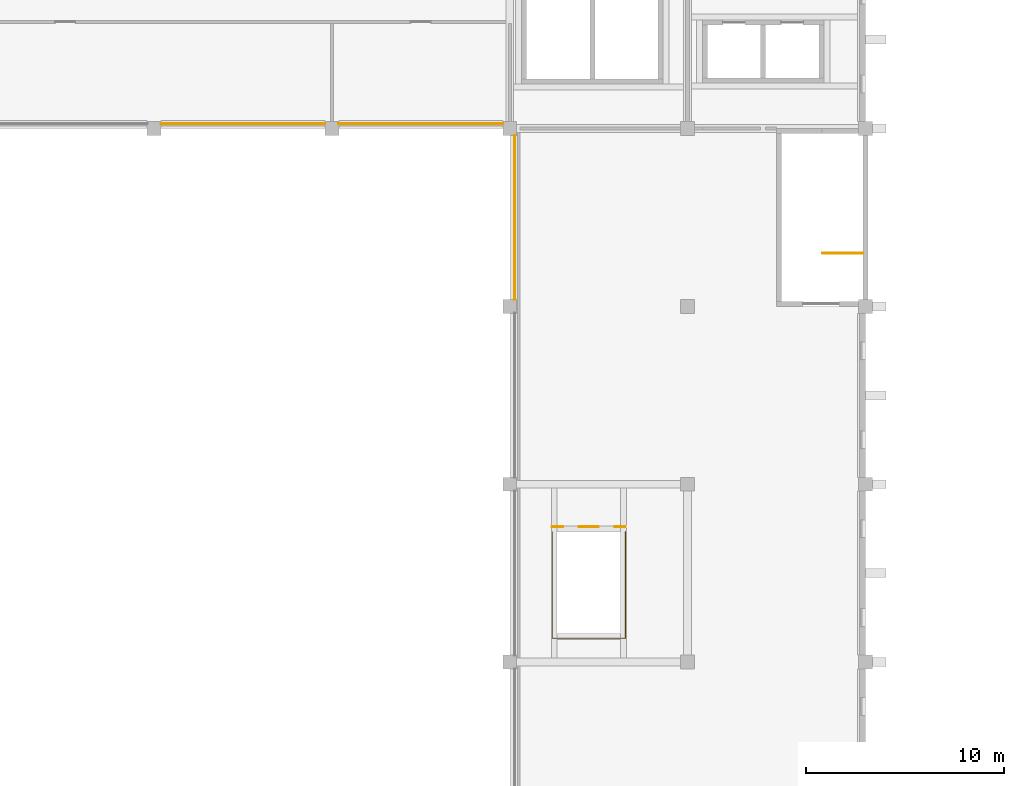
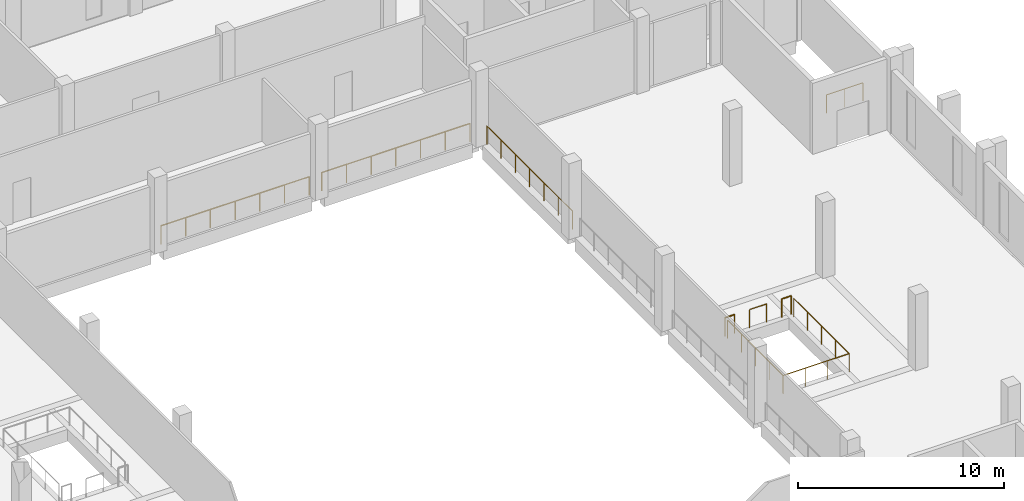
# One storey, part 37 of 40: 8 railings.
"""IFC4 building model written with IfcOpenShell, lengths in metres."""

from ifc_helpers import new_model, si_unit, direction, frame, origin, origin_2d, place, context, subcontext, project, spatial, circle, extrude, material, type_object, element, save


model = new_model("IFC4")

# Units and contexts
model_context = context("Model", 3, precision=1e-05, world=origin(), true_north=direction((0.0, 1.0)))
body_context = subcontext(model_context, "Body", "Model", "MODEL_VIEW")
ifc_project = project(units=[si_unit("LENGTHUNIT", "METRE"), si_unit("AREAUNIT", "SQUARE_METRE"), si_unit("VOLUMEUNIT", "CUBIC_METRE"), si_unit("PLANEANGLEUNIT", "RADIAN"), si_unit("MASSUNIT", "GRAM", prefix="KILO")], contexts=[model_context])

# Site, building, storey
site_placement = place(None, origin())
site = spatial("IfcSite", under=ifc_project, at=site_placement, CompositionType="ELEMENT")
building_placement = place(site_placement, origin())
building = spatial("IfcBuilding", under=site, at=building_placement, Name="Guidao Yard Department Store", CompositionType="ELEMENT")
storey_placement = place(building_placement, frame((0.0, 0.0, 24.0)))
storey = spatial("IfcBuildingStorey", under=building, at=storey_placement, Name="L05", CompositionType="ELEMENT", Elevation=24.0)

# Railings
ifc_material = material(Name="Steel Q235", Category="steel")
railing_type = type_object("IfcRailingType", Name="Guard steel balustrade 1100", PredefinedType="GUARDRAIL", material=ifc_material)
railing_1_placement = place(storey_placement, frame((60.824951171875, 83.699951171875, 0.0)))
element("IfcRailing", 1, at=railing_1_placement, inside=storey, type_object=railing_type, Name="Stair A4 guard L05 4", PredefinedType="GUARDRAIL", context=body_context, shape_type="SweptSolid", body=[
    extrude(circle(Radius=0.02392578125, at=origin_2d()), frame((0.0, 0.0, 1.076171875), z_axis=(1.0, 0.0, 0.0), x_axis=(0.0, 1.0, 0.0)), (0.0, 0.0, 1.0), 2.050048828125),
    extrude(circle(Radius=0.02099609375, at=origin_2d()), origin(), (0.0, 0.0, 1.0), 1.052001953125),
    extrude(circle(Radius=0.02099609375, at=origin_2d()), frame((1.02490234375, 0.0, 0.0)), (0.0, 0.0, 1.0), 1.052001953125),
    extrude(circle(Radius=0.02099609375, at=origin_2d()), frame((2.050048828125, 0.0, 0.0)), (0.0, 0.0, 1.0), 1.052001953125),
])
railing_2_placement = place(storey_placement, frame((47.14990234375, 69.843994140625, 0.0)))
element("IfcRailing", 2, at=railing_2_placement, inside=storey, type_object=railing_type, Name="Guard escalator EH9 arrival 1", PredefinedType="GUARDRAIL", context=body_context, shape_type="SweptSolid", body=[
    extrude(circle(Radius=0.02392578125, at=origin_2d()), frame((0.0, 0.0, 1.076171875), z_axis=(1.0, 0.0, 0.0), x_axis=(0.0, 1.0, 0.0)), (0.0, 0.0, 1.0), 0.530029296875),
    extrude(circle(Radius=0.02099609375, at=origin_2d()), origin(), (0.0, 0.0, 1.0), 1.052001953125),
    extrude(circle(Radius=0.02099609375, at=origin_2d()), frame((0.530029296875, 0.0, 0.0)), (0.0, 0.0, 1.0), 1.052001953125),
])
railing_3_placement = place(storey_placement, frame((48.52001953125, 69.843994140625, 0.0)))
element("IfcRailing", 3, at=railing_3_placement, inside=storey, type_object=railing_type, Name="Guard escalator EH9 arrival 2", PredefinedType="GUARDRAIL", context=body_context, shape_type="SweptSolid", body=[
    extrude(circle(Radius=0.02392578125, at=origin_2d()), frame((0.0, 0.0, 1.076171875), z_axis=(1.0, 0.0, 0.0), x_axis=(0.0, 1.0, 0.0)), (0.0, 0.0, 1.0), 0.9599609375),
    extrude(circle(Radius=0.02099609375, at=origin_2d()), origin(), (0.0, 0.0, 1.0), 1.052001953125),
    extrude(circle(Radius=0.02099609375, at=origin_2d()), frame((0.9599609375, 0.0, 0.0)), (0.0, 0.0, 1.0), 1.052001953125),
])
railing_4_placement = place(storey_placement, frame((50.320068359375, 69.843994140625, 0.0)))
element("IfcRailing", 4, at=railing_4_placement, inside=storey, type_object=railing_type, Name="Guard escalator EH9 arrival 3", PredefinedType="GUARDRAIL", context=body_context, shape_type="SweptSolid", body=[
    extrude(circle(Radius=0.02392578125, at=origin_2d()), frame((0.0, 0.0, 1.076171875), z_axis=(1.0, 0.0, 0.0), x_axis=(0.0, 1.0, 0.0)), (0.0, 0.0, 1.0), 0.530029296875),
    extrude(circle(Radius=0.02099609375, at=origin_2d()), origin(), (0.0, 0.0, 1.0), 1.052001953125),
    extrude(circle(Radius=0.02099609375, at=origin_2d()), frame((0.530029296875, 0.0, 0.0)), (0.0, 0.0, 1.0), 1.052001953125),
])
railing_5_placement = place(storey_placement, frame((45.25, 81.35009765625, 0.0)))
element("IfcRailing", 5, at=railing_5_placement, inside=storey, type_object=railing_type, Name="Guard atrium E L05", PredefinedType="GUARDRAIL", context=body_context, shape_type="SweptSolid", body=[
    extrude(circle(Radius=0.02392578125, at=origin_2d()), frame((0.0, 0.0, 1.076171875), z_axis=(0.0, 1.0, 0.0), x_axis=(-1.0, 0.0, 0.0)), (0.0, 0.0, 1.0), 8.2998046875),
    extrude(circle(Radius=0.02099609375, at=origin_2d()), origin(), (0.0, 0.0, 1.0), 1.052001953125),
    extrude(circle(Radius=0.02099609375, at=origin_2d()), frame((0.0, 1.38330078125, 0.0)), (0.0, 0.0, 1.0), 1.052001953125),
    extrude(circle(Radius=0.02099609375, at=origin_2d()), frame((0.0, 2.7666015625, 0.0)), (0.0, 0.0, 1.0), 1.052001953125),
    extrude(circle(Radius=0.02099609375, at=origin_2d()), frame((0.0, 4.14990234375, 0.0)), (0.0, 0.0, 1.0), 1.052001953125),
    extrude(circle(Radius=0.02099609375, at=origin_2d()), frame((0.0, 5.533203125, 0.0)), (0.0, 0.0, 1.0), 1.052001953125),
    extrude(circle(Radius=0.02099609375, at=origin_2d()), frame((0.0, 6.91650390625, 0.0)), (0.0, 0.0, 1.0), 1.052001953125),
    extrude(circle(Radius=0.02099609375, at=origin_2d()), frame((0.0, 8.2998046875, 0.0)), (0.0, 0.0, 1.0), 1.052001953125),
])
for number, where, name in (
    (6, (44.64990234375, 90.25, 0.0), "Guard atrium N L05"),
    (7, (35.64990234375, 90.25, 0.0), "Guard atrium N L05"),
):
    element("IfcRailing", number, at=place(storey_placement, frame(where)), inside=storey, type_object=railing_type, Name=name, PredefinedType="GUARDRAIL", context=body_context, shape_type="SweptSolid", body=[
        extrude(circle(Radius=0.02392578125, at=origin_2d()), frame((0.0, 0.0, 1.076171875), z_axis=(-1.0, 0.0, 0.0), x_axis=(0.0, -1.0, 0.0)), (0.0, 0.0, 1.0), 8.2998046875),
        extrude(circle(Radius=0.02099609375, at=origin_2d()), origin(), (0.0, 0.0, 1.0), 1.052001953125),
        extrude(circle(Radius=0.02099609375, at=origin_2d()), frame((-1.38330078125, 0.0, 0.0)), (0.0, 0.0, 1.0), 1.052001953125),
        extrude(circle(Radius=0.02099609375, at=origin_2d()), frame((-2.7666015625, 0.0, 0.0)), (0.0, 0.0, 1.0), 1.052001953125),
        extrude(circle(Radius=0.02099609375, at=origin_2d()), frame((-4.14990234375, 0.0, 0.0)), (0.0, 0.0, 1.0), 1.052001953125),
        extrude(circle(Radius=0.02099609375, at=origin_2d()), frame((-5.533203125, 0.0, 0.0)), (0.0, 0.0, 1.0), 1.052001953125),
        extrude(circle(Radius=0.02099609375, at=origin_2d()), frame((-6.91650390625, 0.0, 0.0)), (0.0, 0.0, 1.0), 1.052001953125),
        extrude(circle(Radius=0.02099609375, at=origin_2d()), frame((-8.2998046875, 0.0, 0.0)), (0.0, 0.0, 1.0), 1.052001953125),
    ])
railing_6_placement = place(storey_placement, frame((50.85009765625, 69.593994140625, 0.0)))
element("IfcRailing", 8, at=railing_6_placement, inside=storey, type_object=railing_type, Name="Guard well EH9 L05", PredefinedType="GUARDRAIL", context=body_context, shape_type="SweptSolid", body=[
    extrude(circle(Radius=0.02392578125, at=origin_2d()), frame((0.0, 0.0, 1.076171875), z_axis=(0.0, -1.0, 0.0), x_axis=(1.0, 0.0, 0.0)), (0.0, 0.0, 1.0), 5.387939453125),
    extrude(circle(Radius=0.02392578125, at=origin_2d()), frame((0.0, -5.387939453125, 1.076171875), z_axis=(-1.0, 0.0, 0.0), x_axis=(0.0, -1.0, 0.0)), (0.0, 0.0, 1.0), 3.7001953125),
    extrude(circle(Radius=0.02392578125, at=origin_2d()), frame((-3.7001953125, -5.387939453125, 1.076171875), z_axis=(0.0, 1.0, 0.0), x_axis=(-1.0, 0.0, 0.0)), (0.0, 0.0, 1.0), 5.387939453125),
    extrude(circle(Radius=0.02099609375, at=origin_2d()), origin(), (0.0, 0.0, 1.0), 1.052001953125),
    extrude(circle(Radius=0.02099609375, at=origin_2d()), frame((0.0, -1.346923828125, 0.0)), (0.0, 0.0, 1.0), 1.052001953125),
    extrude(circle(Radius=0.02099609375, at=origin_2d()), frame((0.0, -2.69384765625, 0.0)), (0.0, 0.0, 1.0), 1.052001953125),
    extrude(circle(Radius=0.02099609375, at=origin_2d()), frame((0.0, -4.041015625, 0.0)), (0.0, 0.0, 1.0), 1.052001953125),
    extrude(circle(Radius=0.02099609375, at=origin_2d()), frame((0.0, -5.387939453125, 0.0)), (0.0, 0.0, 1.0), 1.052001953125),
    extrude(circle(Radius=0.02099609375, at=origin_2d()), frame((-1.2333984375, -5.387939453125, 0.0)), (0.0, 0.0, 1.0), 1.052001953125),
    extrude(circle(Radius=0.02099609375, at=origin_2d()), frame((-2.466796875, -5.387939453125, 0.0)), (0.0, 0.0, 1.0), 1.052001953125),
    extrude(circle(Radius=0.02099609375, at=origin_2d()), frame((-3.7001953125, -5.387939453125, 0.0)), (0.0, 0.0, 1.0), 1.052001953125),
    extrude(circle(Radius=0.02099609375, at=origin_2d()), frame((-3.7001953125, -4.041015625, 0.0)), (0.0, 0.0, 1.0), 1.052001953125),
    extrude(circle(Radius=0.02099609375, at=origin_2d()), frame((-3.7001953125, -2.69384765625, 0.0)), (0.0, 0.0, 1.0), 1.052001953125),
    extrude(circle(Radius=0.02099609375, at=origin_2d()), frame((-3.7001953125, -1.346923828125, 0.0)), (0.0, 0.0, 1.0), 1.052001953125),
    extrude(circle(Radius=0.02099609375, at=origin_2d()), frame((-3.7001953125, 0.0, 0.0)), (0.0, 0.0, 1.0), 1.052001953125),
])

save(model, "model.ifc")
